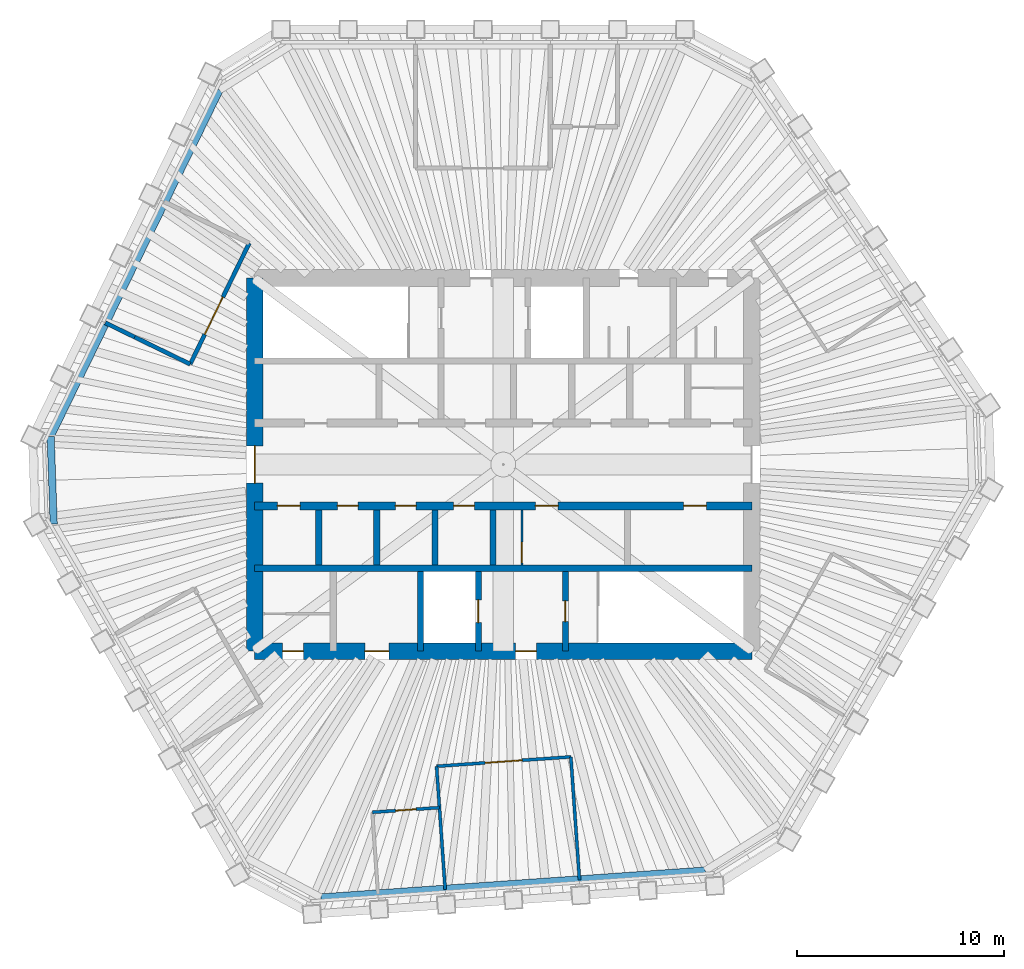
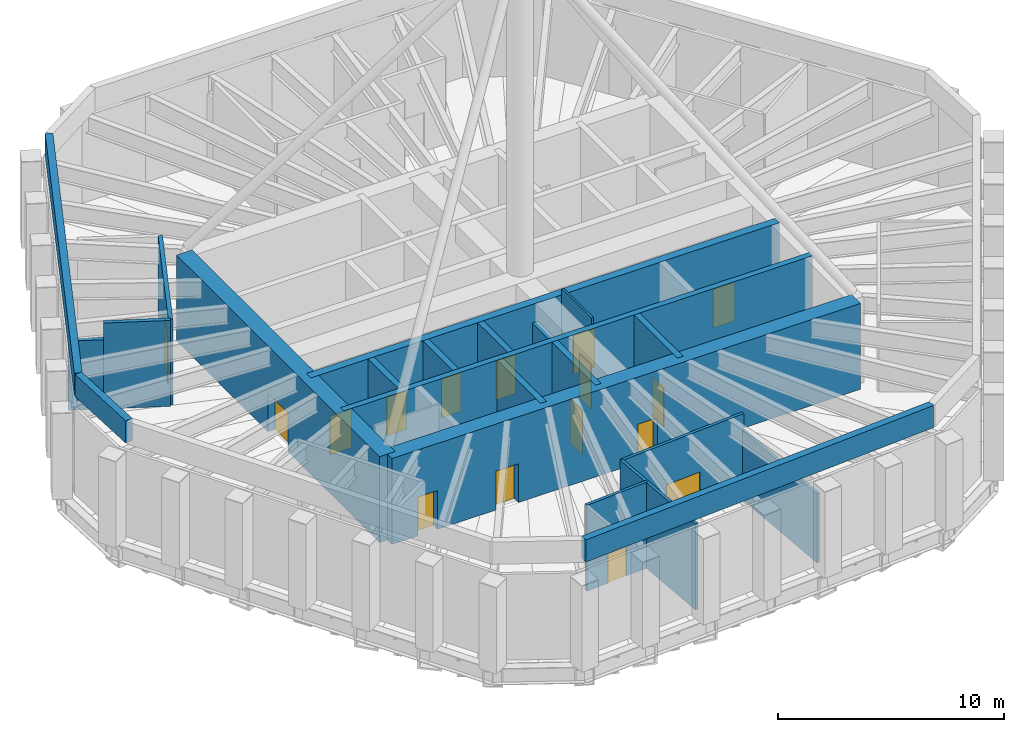
# One storey, part 5 of 9: 22 walls, 16 doors, 16 openings.
"""IFC4 building model written with IfcOpenShell, lengths in metres."""

from ifc_helpers import new_model, si_unit, direction, frame, frame_2d, origin, place, context, subcontext, project, spatial, rectangle, extrude, material, layer, layer_set, type_object, element, fill, save


model = new_model("IFC4")

# Units and contexts
model_context = context("Model", 3, precision=1e-05, world=origin(), true_north=direction((0.0, 1.0)))
body_context = subcontext(model_context, "Body", "Model", "MODEL_VIEW")
ifc_project = project(units=[si_unit("LENGTHUNIT", "METRE"), si_unit("AREAUNIT", "SQUARE_METRE"), si_unit("VOLUMEUNIT", "CUBIC_METRE"), si_unit("PLANEANGLEUNIT", "RADIAN"), si_unit("MASSUNIT", "GRAM", prefix="KILO")], contexts=[model_context])

# Site, building, storey
site_placement = place(None, origin())
site = spatial("IfcSite", under=ifc_project, at=site_placement, CompositionType="ELEMENT")
building_placement = place(site_placement, origin())
building = spatial("IfcBuilding", under=site, at=building_placement, Name="Qingtian Harvest Tower", CompositionType="ELEMENT")
storey_placement = place(building_placement, frame((0.0, 0.0, 343.60009765625)))
storey = spatial("IfcBuildingStorey", under=building, at=storey_placement, Name="L76", CompositionType="ELEMENT", Elevation=343.60009765625)

# Wall
ifc_material_1 = material(Name="Concrete fc' 70 MPa", Category="concrete")
ifc_layer_1 = layer(ifc_material_1, 0.300048828125)
ifc_layer_set_1 = layer_set([ifc_layer_1], Name="Core inner wall RC5 300")
wall_type_1 = type_object("IfcWallType", Name="Core inner wall RC5 300", PredefinedType="SHEAR", material=ifc_layer_set_1)
wall_1_placement = place(storey_placement, frame((-12.0, -5.0, 0.0), z_axis=(0.0, 0.0, 1.0), x_axis=(1.0, 0.0, 0.0)))
element("IfcWall", 1, at=wall_1_placement, inside=storey, type_object=wall_type_1, Name="Core wall IS5 L76", PredefinedType="SHEAR", context=body_context, shape_type="SweptSolid", body=[
    extrude(rectangle(XDim=24.0, YDim=0.300048828125, at=frame_2d((12.0, 0.0))), origin(), (0.0, 0.0, 1.0), 4.64990234375),
])

# Wall, openings, doors
ifc_material_2 = material(Name="Concrete fc' 70 MPa", Category="concrete")
ifc_layer_2 = layer(ifc_material_2, 0.39990234375)
ifc_layer_set_2 = layer_set([ifc_layer_2], Name="Core inner web RC6 400")
wall_type_2 = type_object("IfcWallType", Name="Core inner web RC6 400", PredefinedType="SHEAR", material=ifc_layer_set_2)
wall_2_placement = place(storey_placement, frame((-12.0, -2.0, 0.0), z_axis=(0.0, 0.0, 1.0), x_axis=(1.0, 0.0, 0.0)))
wall_2 = element("IfcWall", 2, at=wall_2_placement, inside=storey, type_object=wall_type_2, Name="Core wall IS2 L76", PredefinedType="SHEAR", context=body_context, shape_type="SweptSolid", body=[
    extrude(rectangle(XDim=24.0, YDim=0.39990234375, at=frame_2d((12.0, 0.0))), origin(), (0.0, 0.0, 1.0), 4.64990234375),
])
opening_1_placement = place(wall_2_placement, frame((1.10009765625, 0.0, 0.0)))
opening_1 = element("IfcOpeningElement", 3, at=opening_1_placement, cuts=wall_2, Name="Opening FD4", PredefinedType="OPENING", context=body_context, shape_type="SweptSolid", body=[
    extrude(rectangle(XDim=1.10009765625, YDim=2.10009765625, at=frame_2d((0.550048828125, 1.050048828125))), frame((0.0, 0.2099609375, 0.0), z_axis=(0.0, -1.0, 0.0), x_axis=(1.0, 0.0, 0.0)), (0.0, 0.0, 1.0), 0.419921875),
])
opening_2_placement = place(wall_2_placement, frame((13.550048828125, 0.0, 0.0)))
opening_2 = element("IfcOpeningElement", 4, at=opening_2_placement, cuts=wall_2, Name="Opening FD4", PredefinedType="OPENING", context=body_context, shape_type="SweptSolid", body=[
    extrude(rectangle(XDim=1.10009765625, YDim=2.10009765625, at=frame_2d((0.550048828125, 1.050048828125))), frame((0.0, 0.2099609375, 0.0), z_axis=(0.0, -1.0, 0.0), x_axis=(1.0, 0.0, 0.0)), (0.0, 0.0, 1.0), 0.419921875),
])
opening_3_placement = place(wall_2_placement, frame((20.699951171875, 0.0, 0.0)))
opening_3 = element("IfcOpeningElement", 5, at=opening_3_placement, cuts=wall_2, Name="Opening FD4", PredefinedType="OPENING", context=body_context, shape_type="SweptSolid", body=[
    extrude(rectangle(XDim=1.10009765625, YDim=2.10009765625, at=frame_2d((0.550048828125, 1.050048828125))), frame((0.0, 0.2099609375, 0.0), z_axis=(0.0, -1.0, 0.0), x_axis=(1.0, 0.0, 0.0)), (0.0, 0.0, 1.0), 0.419921875),
])
opening_4_placement = place(wall_2_placement, frame((4.0, 0.0, 0.0)))
opening_4 = element("IfcOpeningElement", 6, at=opening_4_placement, cuts=wall_2, Name="Opening FD1", PredefinedType="OPENING", context=body_context, shape_type="SweptSolid", body=[
    extrude(rectangle(XDim=1.0, YDim=2.10009765625, at=frame_2d((0.5, 1.050048828125))), frame((0.0, 0.2099609375, 0.0), z_axis=(0.0, -1.0, 0.0), x_axis=(1.0, 0.0, 0.0)), (0.0, 0.0, 1.0), 0.419921875),
])
opening_5_placement = place(wall_2_placement, frame((6.800048828125, 0.0, 0.0)))
opening_5 = element("IfcOpeningElement", 7, at=opening_5_placement, cuts=wall_2, Name="Opening FD1", PredefinedType="OPENING", context=body_context, shape_type="SweptSolid", body=[
    extrude(rectangle(XDim=1.0, YDim=2.10009765625, at=frame_2d((0.5, 1.050048828125))), frame((0.0, 0.2099609375, 0.0), z_axis=(0.0, -1.0, 0.0), x_axis=(1.0, 0.0, 0.0)), (0.0, 0.0, 1.0), 0.419921875),
])
opening_6_placement = place(wall_2_placement, frame((9.60009765625, 0.0, 0.0)))
opening_6 = element("IfcOpeningElement", 8, at=opening_6_placement, cuts=wall_2, Name="Opening FD1", PredefinedType="OPENING", context=body_context, shape_type="SweptSolid", body=[
    extrude(rectangle(XDim=1.0, YDim=2.10009765625, at=frame_2d((0.5, 1.050048828125))), frame((0.0, 0.2099609375, 0.0), z_axis=(0.0, -1.0, 0.0), x_axis=(1.0, 0.0, 0.0)), (0.0, 0.0, 1.0), 0.419921875),
])
ifc_material_3 = material(Name="Steel-faced door leaf", Category="steel")
door_type_1 = type_object("IfcDoorType", Name="Fire door FD1 single 1 HR", OperationType="SINGLE_SWING_LEFT", PredefinedType="DOOR", material=ifc_material_3)
door_1_placement = place(opening_4_placement, origin())
door_1 = element("IfcDoor", 9, at=door_1_placement, inside=storey, type_object=door_type_1, Name="Spares store door L76", OperationType="SINGLE_SWING_RIGHT", OverallHeight=2.10009765625, OverallWidth=1.0, PredefinedType="DOOR", context=body_context, shape_type="SweptSolid", body=[
    extrude(rectangle(XDim=1.0, YDim=2.10009765625, at=frame_2d((0.5, 1.050048828125))), frame((0.0, 0.02490234375, 0.0), z_axis=(0.0, -1.0, 0.0), x_axis=(1.0, 0.0, 0.0)), (0.0, 0.0, 1.0), 0.050048828125),
])
fill(opening_4, door_1)
door_2_placement = place(opening_5_placement, origin())
door_2 = element("IfcDoor", 10, at=door_2_placement, inside=storey, type_object=door_type_1, Name="Filter store door L76", OperationType="SINGLE_SWING_RIGHT", OverallHeight=2.10009765625, OverallWidth=1.0, PredefinedType="DOOR", context=body_context, shape_type="SweptSolid", body=[
    extrude(rectangle(XDim=1.0, YDim=2.10009765625, at=frame_2d((0.5, 1.050048828125))), frame((0.0, 0.02490234375, 0.0), z_axis=(0.0, -1.0, 0.0), x_axis=(1.0, 0.0, 0.0)), (0.0, 0.0, 1.0), 0.050048828125),
])
fill(opening_5, door_2)
door_3_placement = place(opening_6_placement, origin())
door_3 = element("IfcDoor", 11, at=door_3_placement, inside=storey, type_object=door_type_1, Name="Tool store door L76", OperationType="SINGLE_SWING_RIGHT", OverallHeight=2.10009765625, OverallWidth=1.0, PredefinedType="DOOR", context=body_context, shape_type="SweptSolid", body=[
    extrude(rectangle(XDim=1.0, YDim=2.10009765625, at=frame_2d((0.5, 1.050048828125))), frame((0.0, 0.02490234375, 0.0), z_axis=(0.0, -1.0, 0.0), x_axis=(1.0, 0.0, 0.0)), (0.0, 0.0, 1.0), 0.050048828125),
])
fill(opening_6, door_3)
ifc_material_4 = material(Name="Steel-faced door leaf", Category="steel")
door_type_2 = type_object("IfcDoorType", Name="Fire door FD4 single 2 HR", OperationType="SINGLE_SWING_LEFT", PredefinedType="DOOR", material=ifc_material_4)
door_4_placement = place(opening_1_placement, origin())
door_4 = element("IfcDoor", 12, at=door_4_placement, inside=storey, type_object=door_type_2, Name="RB door L76", OperationType="SINGLE_SWING_LEFT", OverallHeight=2.10009765625, OverallWidth=1.10009765625, PredefinedType="DOOR", context=body_context, shape_type="SweptSolid", body=[
    extrude(rectangle(XDim=1.10009765625, YDim=2.10009765625, at=frame_2d((0.550048828125, 1.050048828125))), frame((0.0, 0.02490234375, 0.0), z_axis=(0.0, -1.0, 0.0), x_axis=(1.0, 0.0, 0.0)), (0.0, 0.0, 1.0), 0.050048828125),
])
fill(opening_1, door_4)
door_5_placement = place(opening_2_placement, origin())
door_5 = element("IfcDoor", 13, at=door_5_placement, inside=storey, type_object=door_type_2, Name="ELEC door L76", OperationType="SINGLE_SWING_RIGHT", OverallHeight=2.10009765625, OverallWidth=1.10009765625, PredefinedType="DOOR", context=body_context, shape_type="SweptSolid", body=[
    extrude(rectangle(XDim=1.10009765625, YDim=2.10009765625, at=frame_2d((0.550048828125, 1.050048828125))), frame((0.0, 0.02490234375, 0.0), z_axis=(0.0, -1.0, 0.0), x_axis=(1.0, 0.0, 0.0)), (0.0, 0.0, 1.0), 0.050048828125),
])
fill(opening_2, door_5)
door_6_placement = place(opening_3_placement, origin())
door_6 = element("IfcDoor", 14, at=door_6_placement, inside=storey, type_object=door_type_2, Name="DUCT door L76", OperationType="SINGLE_SWING_LEFT", OverallHeight=2.10009765625, OverallWidth=1.10009765625, PredefinedType="DOOR", context=body_context, shape_type="SweptSolid", body=[
    extrude(rectangle(XDim=1.10009765625, YDim=2.10009765625, at=frame_2d((0.550048828125, 1.050048828125))), frame((0.0, 0.02490234375, 0.0), z_axis=(0.0, -1.0, 0.0), x_axis=(1.0, 0.0, 0.0)), (0.0, 0.0, 1.0), 0.050048828125),
])
fill(opening_3, door_6)

# Walls
ifc_material_5 = material(Name="Precast concrete shaft panel", Category="concrete")
ifc_layer_3 = layer(ifc_material_5, 0.300048828125)
ifc_layer_set_3 = layer_set([ifc_layer_3], Name="Core shaft partition SW1 300")
wall_type_3 = type_object("IfcWallType", Name="Core shaft partition SW1 300", PredefinedType="PARTITIONING", material=ifc_layer_set_3)
for number, where, z_axis, x_axis, name in (
    (15, (-8.89990234375, -4.85009765625, 0.0), (0.0, 0.0, 1.0), (0.0, 1.0, 0.0), "Core shaft partition XB1 L76"),
    (16, (-6.10009765625, -4.85009765625, 0.0), (0.0, 0.0, 1.0), (0.0, 1.0, 0.0), "Core shaft partition XB2 L76"),
    (17, (-3.300048828125, -4.85009765625, 0.0), (0.0, 0.0, 1.0), (0.0, 1.0, 0.0), "Core shaft partition XB3 L76"),
):
    element("IfcWall", number, at=place(storey_placement, frame(where, z_axis=z_axis, x_axis=x_axis)), inside=storey, type_object=wall_type_3, Name=name, PredefinedType="PARTITIONING", context=body_context, shape_type="SweptSolid", body=[
        extrude(rectangle(XDim=2.650146484375, YDim=0.300048828125, at=frame_2d((1.3251953125, 0.0))), origin(), (0.0, 0.0, 1.0), 4.64990234375),
    ])
wall_3_placement = place(storey_placement, frame((-0.5, -4.85009765625, 0.0), z_axis=(0.0, 0.0, 1.0), x_axis=(0.0, 1.0, 0.0)))
element("IfcWall", 18, at=wall_3_placement, inside=storey, type_object=wall_type_3, Name="Core shaft partition XB4 L76", PredefinedType="PARTITIONING", context=body_context, shape_type="SweptSolid", body=[
    extrude(rectangle(XDim=2.650146484375, YDim=0.300048828125, at=frame_2d((1.3251953125, 0.0))), origin(), (0.0, 0.0, 1.0), 3.64990234375),
])
wall_4_placement = place(storey_placement, frame((-4.0, -9.0, 0.0), z_axis=(0.0, 0.0, 1.0), x_axis=(0.0, 1.0, 0.0)))
element("IfcWall", 19, at=wall_4_placement, inside=storey, type_object=wall_type_3, Name="Core shaft partition XS2 L76", PredefinedType="PARTITIONING", context=body_context, shape_type="SweptSolid", body=[
    extrude(rectangle(XDim=3.85009765625, YDim=0.300048828125, at=frame_2d((1.925048828125, 0.0))), origin(), (0.0, 0.0, 1.0), 4.64990234375),
])

# Wall, opening, door
wall_5_placement = place(storey_placement, frame((-1.199951171875, -9.0, 0.0), z_axis=(0.0, 0.0, 1.0), x_axis=(0.0, 1.0, 0.0)))
wall_5 = element("IfcWall", 20, at=wall_5_placement, inside=storey, type_object=wall_type_3, Name="Core shaft partition XS3 L76", PredefinedType="PARTITIONING", context=body_context, shape_type="SweptSolid", body=[
    extrude(rectangle(XDim=3.85009765625, YDim=0.300048828125, at=frame_2d((1.925048828125, 0.0))), origin(), (0.0, 0.0, 1.0), 4.64990234375),
])
opening_7_placement = place(wall_5_placement, frame((1.375, 0.0, 0.0)))
opening_7 = element("IfcOpeningElement", 21, at=opening_7_placement, cuts=wall_5, Name="Opening LD1", PredefinedType="OPENING", context=body_context, shape_type="SweptSolid", body=[
    extrude(rectangle(XDim=1.10009765625, YDim=2.39990234375, at=frame_2d((0.550048828125, 1.199951171875))), frame((0.0, 0.159912109375, 0.0), z_axis=(0.0, -1.0, 0.0), x_axis=(1.0, 0.0, 0.0)), (0.0, 0.0, 1.0), 0.320068359375),
])
ifc_material_6 = material(Name="Stainless steel lift landing door", Category="steel")
door_type_3 = type_object("IfcDoorType", Name="Lift landing door LD1 1 HR", OperationType="DOUBLE_DOOR_SLIDING", PredefinedType="DOOR", material=ifc_material_6)
door_7_placement = place(opening_7_placement, origin())
door_7 = element("IfcDoor", 22, at=door_7_placement, inside=storey, type_object=door_type_3, Name="FL2 landing door L76", OperationType="DOUBLE_DOOR_SLIDING", OverallHeight=2.39990234375, OverallWidth=1.10009765625, PredefinedType="DOOR", context=body_context, shape_type="SweptSolid", body=[
    extrude(rectangle(XDim=1.10009765625, YDim=2.39990234375, at=frame_2d((0.550048828125, 1.199951171875))), frame((0.0, 0.02490234375, 0.0), z_axis=(0.0, -1.0, 0.0), x_axis=(1.0, 0.0, 0.0)), (0.0, 0.0, 1.0), 0.050048828125),
])
fill(opening_7, door_7)

wall_6_placement = place(storey_placement, frame((3.0, -9.0, 0.0), z_axis=(0.0, 0.0, 1.0), x_axis=(0.0, 1.0, 0.0)))
wall_6 = element("IfcWall", 23, at=wall_6_placement, inside=storey, type_object=wall_type_3, Name="Core shaft partition XS4 L76", PredefinedType="PARTITIONING", context=body_context, shape_type="SweptSolid", body=[
    extrude(rectangle(XDim=3.85009765625, YDim=0.300048828125, at=frame_2d((1.925048828125, 0.0))), origin(), (0.0, 0.0, 1.0), 4.64990234375),
])
opening_8_placement = place(wall_6_placement, frame((1.425048828125, 0.0, 0.0)))
opening_8 = element("IfcOpeningElement", 24, at=opening_8_placement, cuts=wall_6, Name="Opening FD1", PredefinedType="OPENING", context=body_context, shape_type="SweptSolid", body=[
    extrude(rectangle(XDim=1.0, YDim=2.10009765625, at=frame_2d((0.5, 1.050048828125))), frame((0.0, 0.159912109375, 0.0), z_axis=(0.0, -1.0, 0.0), x_axis=(1.0, 0.0, 0.0)), (0.0, 0.0, 1.0), 0.320068359375),
])
door_8_placement = place(opening_8_placement, origin())
door_8 = element("IfcDoor", 25, at=door_8_placement, inside=storey, type_object=door_type_1, Name="S2 door L76", OperationType="SINGLE_SWING_RIGHT", OverallHeight=2.10009765625, OverallWidth=1.0, PredefinedType="DOOR", context=body_context, shape_type="SweptSolid", body=[
    extrude(rectangle(XDim=1.0, YDim=2.10009765625, at=frame_2d((0.5, 1.050048828125))), frame((0.0, 0.02490234375, 0.0), z_axis=(0.0, -1.0, 0.0), x_axis=(1.0, 0.0, 0.0)), (0.0, 0.0, 1.0), 0.050048828125),
])
fill(opening_8, door_8)

# Wall, openings, doors
ifc_material_7 = material(Name="Concrete fc' 70 MPa", Category="concrete")
ifc_layer_4 = layer(ifc_material_7, 0.800048828125)
ifc_layer_set_4 = layer_set([ifc_layer_4], Name="Core wall RC4 800")
wall_type_4 = type_object("IfcWallType", Name="Core wall RC4 800", PredefinedType="SHEAR", material=ifc_layer_set_4)
wall_7_placement = place(storey_placement, frame((-12.0, -9.0, 0.0), z_axis=(0.0, 0.0, 1.0), x_axis=(1.0, 0.0, 0.0)))
wall_7 = element("IfcWall", 26, at=wall_7_placement, inside=storey, type_object=wall_type_4, Name="Core wall CS L76", PredefinedType="SHEAR", context=body_context, shape_type="SweptSolid", body=[
    extrude(rectangle(XDim=24.0, YDim=0.800048828125, at=frame_2d((12.0, 0.0))), origin(), (0.0, 0.0, 1.0), 4.64990234375),
])
opening_9_placement = place(wall_7_placement, frame((1.35009765625, 0.0, 0.0)))
opening_9 = element("IfcOpeningElement", 27, at=opening_9_placement, cuts=wall_7, Name="Opening FD1", PredefinedType="OPENING", context=body_context, shape_type="SweptSolid", body=[
    extrude(rectangle(XDim=1.0, YDim=2.10009765625, at=frame_2d((0.5, 1.050048828125))), frame((0.0, 0.409912109375, 0.0), z_axis=(0.0, -1.0, 0.0), x_axis=(1.0, 0.0, 0.0)), (0.0, 0.0, 1.0), 0.820068359375),
])
opening_10_placement = place(wall_7_placement, frame((5.324951171875, 0.0, 0.0)))
opening_10 = element("IfcOpeningElement", 28, at=opening_10_placement, cuts=wall_7, Name="Opening AD1", PredefinedType="OPENING", context=body_context, shape_type="SweptSolid", body=[
    extrude(rectangle(XDim=1.14990234375, YDim=2.10009765625, at=frame_2d((0.574951171875, 1.050048828125))), frame((0.0, 0.409912109375, 0.0), z_axis=(0.0, -1.0, 0.0), x_axis=(1.0, 0.0, 0.0)), (0.0, 0.0, 1.0), 0.820068359375),
])
opening_11_placement = place(wall_7_placement, frame((12.60009765625, 0.0, 0.0)))
opening_11 = element("IfcOpeningElement", 29, at=opening_11_placement, cuts=wall_7, Name="Opening FD1", PredefinedType="OPENING", context=body_context, shape_type="SweptSolid", body=[
    extrude(rectangle(XDim=1.0, YDim=2.10009765625, at=frame_2d((0.5, 1.050048828125))), frame((0.0, 0.409912109375, 0.0), z_axis=(0.0, -1.0, 0.0), x_axis=(1.0, 0.0, 0.0)), (0.0, 0.0, 1.0), 0.820068359375),
])
ifc_material_8 = material(Name="Laminated timber door leaf", Category="wood")
door_type_4 = type_object("IfcDoorType", Name="Accessible WC door AD1 single", OperationType="SINGLE_SWING_LEFT", PredefinedType="DOOR", material=ifc_material_8)
door_9_placement = place(opening_10_placement, origin())
door_9 = element("IfcDoor", 30, at=door_9_placement, inside=storey, type_object=door_type_4, Name="AWC door L76", OperationType="SINGLE_SWING_LEFT", OverallHeight=2.10009765625, OverallWidth=1.14990234375, PredefinedType="DOOR", context=body_context, shape_type="SweptSolid", body=[
    extrude(rectangle(XDim=1.14990234375, YDim=2.10009765625, at=frame_2d((0.574951171875, 1.050048828125))), frame((0.0, 0.02490234375, 0.0), z_axis=(0.0, -1.0, 0.0), x_axis=(1.0, 0.0, 0.0)), (0.0, 0.0, 1.0), 0.050048828125),
])
fill(opening_10, door_9)
door_10_placement = place(opening_9_placement, origin())
door_10 = element("IfcDoor", 31, at=door_10_placement, inside=storey, type_object=door_type_1, Name="CLN door L76", OperationType="SINGLE_SWING_RIGHT", OverallHeight=2.10009765625, OverallWidth=1.0, PredefinedType="DOOR", context=body_context, shape_type="SweptSolid", body=[
    extrude(rectangle(XDim=1.0, YDim=2.10009765625, at=frame_2d((0.5, 1.050048828125))), frame((0.0, 0.02490234375, 0.0), z_axis=(0.0, -1.0, 0.0), x_axis=(1.0, 0.0, 0.0)), (0.0, 0.0, 1.0), 0.050048828125),
])
fill(opening_9, door_10)
door_11_placement = place(opening_11_placement, origin())
door_11 = element("IfcDoor", 32, at=door_11_placement, inside=storey, type_object=door_type_1, Name="V2 door L76", OperationType="SINGLE_SWING_RIGHT", OverallHeight=2.10009765625, OverallWidth=1.0, PredefinedType="DOOR", context=body_context, shape_type="SweptSolid", body=[
    extrude(rectangle(XDim=1.0, YDim=2.10009765625, at=frame_2d((0.5, 1.050048828125))), frame((0.0, 0.02490234375, 0.0), z_axis=(0.0, -1.0, 0.0), x_axis=(1.0, 0.0, 0.0)), (0.0, 0.0, 1.0), 0.050048828125),
])
fill(opening_11, door_11)

# Wall, opening, door
wall_8_placement = place(storey_placement, frame((-12.0, -9.0, 0.0), z_axis=(0.0, 0.0, 1.0), x_axis=(0.0, 1.0, 0.0)))
wall_8 = element("IfcWall", 33, at=wall_8_placement, inside=storey, type_object=wall_type_4, Name="Core wall CW L76", PredefinedType="SHEAR", context=body_context, shape_type="SweptSolid", body=[
    extrude(rectangle(XDim=18.0, YDim=0.800048828125, at=frame_2d((9.0, 0.0))), origin(), (0.0, 0.0, 1.0), 4.64990234375),
])
opening_12_placement = place(wall_8_placement, frame((8.10009765625, 0.0, 0.0)))
opening_12 = element("IfcOpeningElement", 34, at=opening_12_placement, cuts=wall_8, Name="Opening FD2", PredefinedType="OPENING", context=body_context, shape_type="SweptSolid", body=[
    extrude(rectangle(XDim=1.800048828125, YDim=2.10009765625, at=frame_2d((0.89990234375, 1.050048828125))), frame((0.0, 0.409912109375, 0.0), z_axis=(0.0, -1.0, 0.0), x_axis=(1.0, 0.0, 0.0)), (0.0, 0.0, 1.0), 0.820068359375),
])
ifc_material_9 = material(Name="Steel-faced door leaf", Category="steel")
door_type_5 = type_object("IfcDoorType", Name="Fire door FD2 double 1 HR", OperationType="DOUBLE_DOOR_DOUBLE_SWING", PredefinedType="DOOR", material=ifc_material_9)
door_12_placement = place(opening_12_placement, origin())
door_12 = element("IfcDoor", 35, at=door_12_placement, inside=storey, type_object=door_type_5, Name="LOBBY-W door L76", OperationType="DOUBLE_DOOR_DOUBLE_SWING", OverallHeight=2.10009765625, OverallWidth=1.800048828125, PredefinedType="DOOR", context=body_context, shape_type="SweptSolid", body=[
    extrude(rectangle(XDim=1.800048828125, YDim=2.10009765625, at=frame_2d((0.89990234375, 1.050048828125))), frame((0.0, 0.02490234375, 0.0), z_axis=(0.0, -1.0, 0.0), x_axis=(1.0, 0.0, 0.0)), (0.0, 0.0, 1.0), 0.050048828125),
])
fill(opening_12, door_12)

# Wall
ifc_material_10 = material(Name="Blockwork fire wall", Category="masonry")
ifc_layer_5 = layer(ifc_material_10, 0.199951171875)
ifc_layer_set_5 = layer_set([ifc_layer_5], Name="Fire partition FW1 200")
wall_type_5 = type_object("IfcWallType", Name="Fire partition FW1 200", PredefinedType="PARTITIONING", material=ifc_layer_set_5)
wall_9_placement = place(storey_placement, frame((-19.20458984375, 6.84130859375, 0.0), z_axis=(0.0, 0.0, 1.0), x_axis=(0.898769929808, -0.438420589472, 0.0)))
element("IfcWall", 36, at=wall_9_placement, inside=storey, type_object=wall_type_5, Name="Generator room wall L76", PredefinedType="PARTITIONING", context=body_context, shape_type="SweptSolid", body=[
    extrude(rectangle(XDim=1.5810546875, YDim=0.199951171875, at=frame_2d((0.79052734375, 0.0))), origin(), (0.0, 0.0, 1.0), 3.75),
])

# Wall, opening, door
wall_10_placement = place(storey_placement, frame((-15.106201171875, 4.84228515625, 0.0), z_axis=(0.0, 0.0, 1.0), x_axis=(0.438397716114, 0.898781087087, 0.0)))
wall_10 = element("IfcWall", 37, at=wall_10_placement, inside=storey, type_object=wall_type_5, Name="Generator room wall L76", PredefinedType="PARTITIONING", context=body_context, shape_type="SweptSolid", body=[
    extrude(rectangle(XDim=6.49609375, YDim=0.199951171875, at=frame_2d((3.248046875, 0.0))), origin(), (0.0, 0.0, 1.0), 4.64990234375),
])
opening_13_placement = place(wall_10_placement, frame((1.598388671875, 0.0, 0.0)))
opening_13 = element("IfcOpeningElement", 38, at=opening_13_placement, cuts=wall_10, Name="Opening FD3", PredefinedType="OPENING", context=body_context, shape_type="SweptSolid", body=[
    extrude(rectangle(XDim=2.0, YDim=2.39990234375, at=frame_2d((1.0, 1.199951171875))), frame((0.0, 0.10986328125, 0.0), z_axis=(0.0, -1.0, 0.0), x_axis=(1.0, 0.0, 0.0)), (0.0, 0.0, 1.0), 0.219970703125),
])
ifc_material_11 = material(Name="Steel-faced door leaf", Category="steel")
door_type_6 = type_object("IfcDoorType", Name="Fire door FD3 double 2 HR", OperationType="DOUBLE_DOOR_DOUBLE_SWING", PredefinedType="DOOR", material=ifc_material_11)
door_13_placement = place(opening_13_placement, origin())
door_13 = element("IfcDoor", 39, at=door_13_placement, inside=storey, type_object=door_type_6, Name="Generator room door L76", OperationType="DOUBLE_DOOR_DOUBLE_SWING", OverallHeight=2.39990234375, OverallWidth=2.0, PredefinedType="DOOR", context=body_context, shape_type="SweptSolid", body=[
    extrude(rectangle(XDim=2.0, YDim=2.39990234375, at=frame_2d((1.0, 1.199951171875))), frame((0.0, 0.02490234375, 0.0), z_axis=(0.0, -1.0, 0.0), x_axis=(1.0, 0.0, 0.0)), (0.0, 0.0, 1.0), 0.050048828125),
])
fill(opening_13, door_13)

# Walls
wall_11_placement = place(storey_placement, frame((-17.78369140625, 6.148193359375, 0.0), z_axis=(0.0, 0.0, 1.0), x_axis=(0.898792861198, -0.438373576598, 0.0)))
element("IfcWall", 40, at=wall_11_placement, inside=storey, type_object=wall_type_5, Name="Generator room wall L76", PredefinedType="PARTITIONING", context=body_context, shape_type="SweptSolid", body=[
    extrude(rectangle(XDim=2.97900390625, YDim=0.199951171875, at=frame_2d((1.489501953125, 0.0))), origin(), (0.0, 0.0, 1.0), 4.64990234375),
])
ifc_material_12 = material(Name="Gypsum board on steel studs", Category="steel")
ifc_layer_6 = layer(ifc_material_12, 0.14990234375)
ifc_layer_set_6 = layer_set([ifc_layer_6], Name="Partition PT1 150")
wall_type_6 = type_object("IfcWallType", Name="Partition PT1 150", PredefinedType="PARTITIONING", material=ifc_layer_set_6)
wall_12_placement = place(storey_placement, frame((3.677490234375, -20.05224609375, 0.0), z_axis=(0.0, 0.0, 1.0), x_axis=(-0.069762273607, 0.997563644677, 0.0)))
element("IfcWall", 41, at=wall_12_placement, inside=storey, type_object=wall_type_6, Name="Chiller plant room wall L76", PredefinedType="PARTITIONING", context=body_context, shape_type="SweptSolid", body=[
    extrude(rectangle(XDim=5.959716796875, YDim=0.14990234375, at=frame_2d((2.97998046875, 0.0))), origin(), (0.0, 0.0, 1.0), 3.75),
])
wall_13_placement = place(storey_placement, frame((-2.802734375, -20.50537109375, 0.0), z_axis=(0.0, 0.0, 1.0), x_axis=(-0.069762273607, 0.997563644677, 0.0)))
element("IfcWall", 42, at=wall_13_placement, inside=storey, type_object=wall_type_6, Name="Chiller plant room wall L76", PredefinedType="PARTITIONING", context=body_context, shape_type="SweptSolid", body=[
    extrude(rectangle(XDim=5.959716796875, YDim=0.14990234375, at=frame_2d((2.97998046875, 0.0))), origin(), (0.0, 0.0, 1.0), 4.64990234375),
])

# Wall, opening, door
wall_14_placement = place(storey_placement, frame((3.26171875, -14.10693359375, 0.0), z_axis=(0.0, 0.0, 1.0), x_axis=(-0.997564226446, -0.069753954123, 0.0)))
wall_14 = element("IfcWall", 43, at=wall_14_placement, inside=storey, type_object=wall_type_6, Name="Chiller plant room wall L76", PredefinedType="PARTITIONING", context=body_context, shape_type="SweptSolid", body=[
    extrude(rectangle(XDim=6.49609375, YDim=0.14990234375, at=frame_2d((3.248046875, 0.0))), origin(), (0.0, 0.0, 1.0), 4.64990234375),
])
opening_14_placement = place(wall_14_placement, frame((2.34814453125, 0.0, 0.0)))
opening_14 = element("IfcOpeningElement", 44, at=opening_14_placement, cuts=wall_14, Name="Opening D3", PredefinedType="OPENING", context=body_context, shape_type="SweptSolid", body=[
    extrude(rectangle(XDim=1.800048828125, YDim=2.39990234375, at=frame_2d((0.89990234375, 1.199951171875))), frame((0.0, 0.0849609375, 0.0), z_axis=(0.0, -1.0, 0.0), x_axis=(1.0, 0.0, 0.0)), (0.0, 0.0, 1.0), 0.169921875),
])
ifc_material_13 = material(Name="Laminated timber door leaf", Category="wood")
door_type_7 = type_object("IfcDoorType", Name="Room door D3 double", OperationType="DOUBLE_DOOR_DOUBLE_SWING", PredefinedType="DOOR", material=ifc_material_13)
door_14_placement = place(opening_14_placement, origin())
door_14 = element("IfcDoor", 45, at=door_14_placement, inside=storey, type_object=door_type_7, Name="Chiller plant room door L76", OperationType="DOUBLE_DOOR_DOUBLE_SWING", OverallHeight=2.39990234375, OverallWidth=1.800048828125, PredefinedType="DOOR", context=body_context, shape_type="SweptSolid", body=[
    extrude(rectangle(XDim=1.800048828125, YDim=2.39990234375, at=frame_2d((0.89990234375, 1.199951171875))), frame((0.0, 0.02490234375, 0.0), z_axis=(0.0, -1.0, 0.0), x_axis=(1.0, 0.0, 0.0)), (0.0, 0.0, 1.0), 0.050048828125),
])
fill(opening_14, door_14)

wall_15_placement = place(storey_placement, frame((-3.078857421875, -16.55517578125, 0.0), z_axis=(0.0, 0.0, 1.0), x_axis=(-0.9975644093, -0.069751339047, 0.0)))
wall_15 = element("IfcWall", 46, at=wall_15_placement, inside=storey, type_object=wall_type_6, Name="Transformer room wall L76", PredefinedType="PARTITIONING", context=body_context, shape_type="SweptSolid", body=[
    extrude(rectangle(XDim=3.248046875, YDim=0.14990234375, at=frame_2d((1.6240234375, 0.0))), origin(), (0.0, 0.0, 1.0), 4.64990234375),
])
opening_15_placement = place(wall_15_placement, frame((1.1240234375, 0.0, 0.0)))
opening_15 = element("IfcOpeningElement", 47, at=opening_15_placement, cuts=wall_15, Name="Opening D2", PredefinedType="OPENING", context=body_context, shape_type="SweptSolid", body=[
    extrude(rectangle(XDim=1.0, YDim=2.39990234375, at=frame_2d((0.5, 1.199951171875))), frame((0.0, 0.0849609375, 0.0), z_axis=(0.0, -1.0, 0.0), x_axis=(1.0, 0.0, 0.0)), (0.0, 0.0, 1.0), 0.169921875),
])
ifc_material_14 = material(Name="Laminated timber door leaf", Category="wood")
door_type_8 = type_object("IfcDoorType", Name="Room door D2 single", OperationType="SINGLE_SWING_LEFT", PredefinedType="DOOR", material=ifc_material_14)
door_15_placement = place(opening_15_placement, origin())
door_15 = element("IfcDoor", 48, at=door_15_placement, inside=storey, type_object=door_type_8, Name="Transformer room door L76", OperationType="SINGLE_SWING_LEFT", OverallHeight=2.39990234375, OverallWidth=1.0, PredefinedType="DOOR", context=body_context, shape_type="SweptSolid", body=[
    extrude(rectangle(XDim=1.0, YDim=2.39990234375, at=frame_2d((0.5, 1.199951171875))), frame((0.0, 0.02490234375, 0.0), z_axis=(0.0, -1.0, 0.0), x_axis=(1.0, 0.0, 0.0)), (0.0, 0.0, 1.0), 0.050048828125),
])
fill(opening_15, door_15)

# Walls
ifc_material_15 = material(Name="Concrete fc' 35 MPa", Category="concrete")
ifc_layer_7 = layer(ifc_material_15, 0.35009765625)
ifc_layer_set_7 = layer_set([ifc_layer_7], Name="Roof parapet PW1 350")
wall_type_7 = type_object("IfcWallType", Name="Roof parapet PW1 350", PredefinedType="PARAPET", material=ifc_layer_set_7)
wall_16_placement = place(storey_placement, frame((9.744384765625, -19.593017578125, 5.0), z_axis=(0.0, 0.0, 1.0), x_axis=(-0.997564169162, -0.069754773344, 0.0)))
element("IfcWall", 49, at=wall_16_placement, inside=storey, type_object=wall_type_7, Name="Roof parapet 7", PredefinedType="PARAPET", context=body_context, shape_type="SweptSolid", body=[
    extrude(rectangle(XDim=18.591796875, YDim=0.35009765625, at=frame_2d((9.2958984375, 0.0))), origin(), (0.0, 0.0, 1.0), 1.199951171875),
])
wall_17_placement = place(storey_placement, frame((-21.6923828125, -2.8779296875, 5.0), z_axis=(0.0, 0.0, 1.0), x_axis=(-0.034851142499, 0.999392514414, 0.0)))
element("IfcWall", 50, at=wall_17_placement, inside=storey, type_object=wall_type_7, Name="Roof parapet 10", PredefinedType="PARAPET", context=body_context, shape_type="SweptSolid", body=[
    extrude(rectangle(XDim=4.23828125, YDim=0.35009765625, at=frame_2d((2.119140625, 0.0))), origin(), (0.0, 0.0, 1.0), 1.199951171875),
])
wall_18_placement = place(storey_placement, frame((-21.840087890625, 1.357666015625, 5.0), z_axis=(0.0, 0.0, 1.0), x_axis=(0.438362055296, 0.89879848046, 0.0)))
element("IfcWall", 51, at=wall_18_placement, inside=storey, type_object=wall_type_7, Name="Roof parapet 11", PredefinedType="PARAPET", context=body_context, shape_type="SweptSolid", body=[
    extrude(rectangle(XDim=18.591796875, YDim=0.35009765625, at=frame_2d((9.2958984375, 0.0))), origin(), (0.0, 0.0, 1.0), 1.199951171875),
])

# Wall, opening, door
ifc_material_16 = material(Name="Concrete block partition", Category="concrete")
ifc_layer_8 = layer(ifc_material_16, 0.10009765625)
ifc_layer_set_8 = layer_set([ifc_layer_8], Name="Store partition PT3 100")
wall_type_8 = type_object("IfcWallType", Name="Store partition PT3 100", PredefinedType="PARTITIONING", material=ifc_layer_set_8)
wall_19_placement = place(storey_placement, frame((0.89990234375, -4.85009765625, 0.0), z_axis=(0.0, 0.0, 1.0), x_axis=(0.0, 1.0, 0.0)))
wall_19 = element("IfcWall", 52, at=wall_19_placement, inside=storey, type_object=wall_type_8, Name="Switchgear room wall L76", PredefinedType="PARTITIONING", context=body_context, shape_type="SweptSolid", body=[
    extrude(rectangle(XDim=2.650146484375, YDim=0.10009765625, at=frame_2d((1.3251953125, 0.0))), origin(), (0.0, 0.0, 1.0), 5.0),
])
opening_16_placement = place(wall_19_placement, frame((0.10009765625, 0.0, 0.0)))
opening_16 = element("IfcOpeningElement", 53, at=opening_16_placement, cuts=wall_19, Name="Opening D2", PredefinedType="OPENING", context=body_context, shape_type="SweptSolid", body=[
    extrude(rectangle(XDim=1.0, YDim=2.39990234375, at=frame_2d((0.5, 1.199951171875))), frame((0.0, 0.06005859375, 0.0), z_axis=(0.0, -1.0, 0.0), x_axis=(1.0, 0.0, 0.0)), (0.0, 0.0, 1.0), 0.1201171875),
])
door_16_placement = place(opening_16_placement, origin())
door_16 = element("IfcDoor", 54, at=door_16_placement, inside=storey, type_object=door_type_8, Name="Switchgear room door L76", OperationType="SINGLE_SWING_LEFT", OverallHeight=2.39990234375, OverallWidth=1.0, PredefinedType="DOOR", context=body_context, shape_type="SweptSolid", body=[
    extrude(rectangle(XDim=1.0, YDim=2.39990234375, at=frame_2d((0.5, 1.199951171875))), frame((0.0, 0.02490234375, 0.0), z_axis=(0.0, -1.0, 0.0), x_axis=(1.0, 0.0, 0.0)), (0.0, 0.0, 1.0), 0.050048828125),
])
fill(opening_16, door_16)

save(model, "model.ifc")
